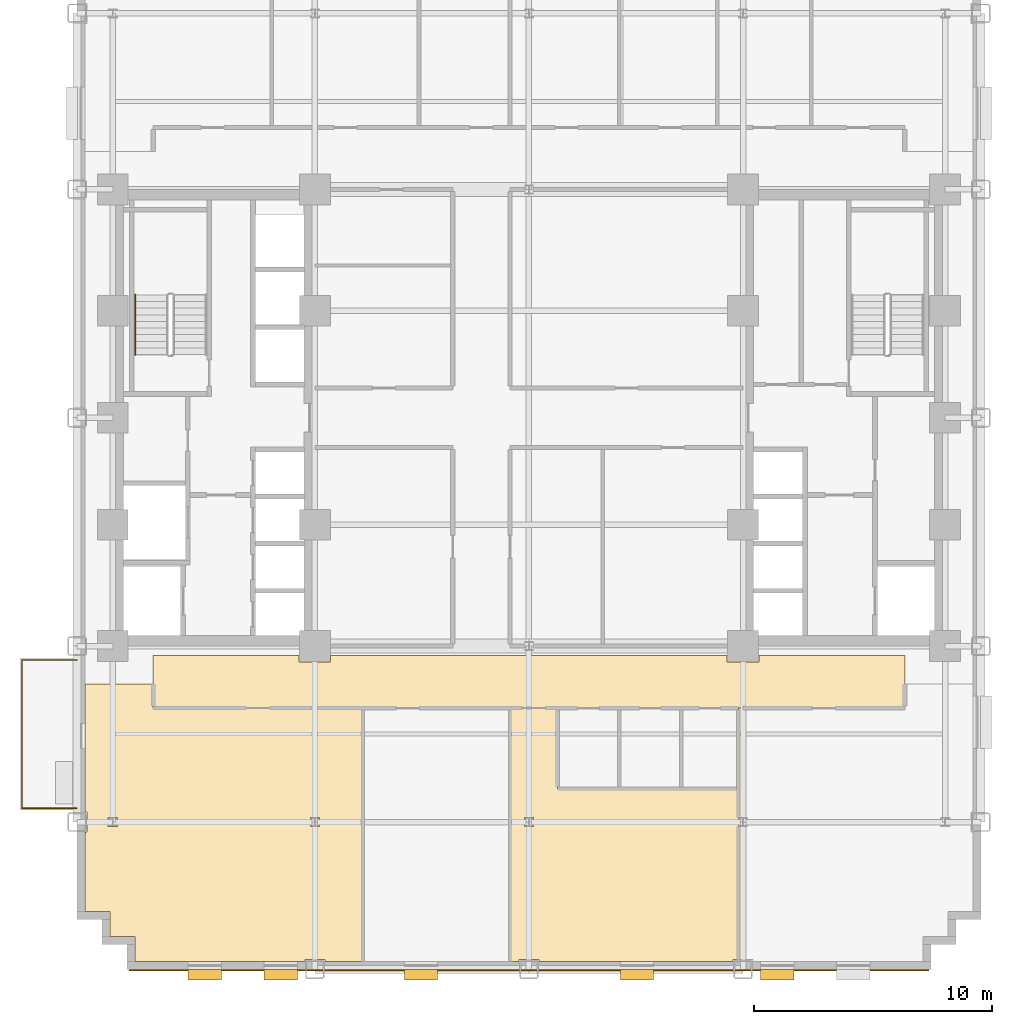
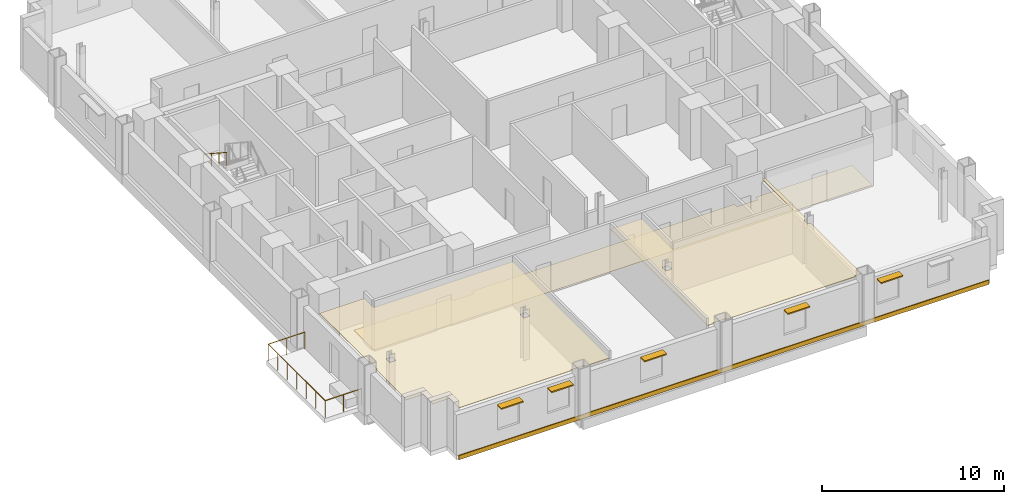
# One storey, part 9 of 12: 5 shading devices, 4 coverings, 2 railings.
"""IFC4 building model written with IfcOpenShell, lengths in metres."""

from ifc_helpers import new_model, si_unit, direction, frame, origin, origin_2d, place, context, subcontext, project, spatial, polyline, rectangle, circle, outline, extrude, source, transform, mapped, material, layer, layer_set, type_object, type_shapes, element, save


model = new_model("IFC4")

# Units and contexts
model_context = context("Model", 3, precision=1e-05, world=origin(), true_north=direction((0.0, 1.0)))
body_context = subcontext(model_context, "Body", "Model", "MODEL_VIEW")
ifc_project = project(units=[si_unit("LENGTHUNIT", "METRE"), si_unit("AREAUNIT", "SQUARE_METRE"), si_unit("VOLUMEUNIT", "CUBIC_METRE"), si_unit("PLANEANGLEUNIT", "RADIAN"), si_unit("MASSUNIT", "GRAM", prefix="KILO")], contexts=[model_context])

# Site, building, storey
site_placement = place(None, origin())
site = spatial("IfcSite", under=ifc_project, at=site_placement, CompositionType="ELEMENT")
building_placement = place(site_placement, origin())
building = spatial("IfcBuilding", under=site, at=building_placement, Name="Nuvemarco Arch Tower", CompositionType="ELEMENT")
storey_placement = place(building_placement, frame((0.0, 0.0, 34.89990234375)))
storey = spatial("IfcBuildingStorey", under=building, at=storey_placement, Name="L08", CompositionType="ELEMENT", Elevation=34.89990234375)

# Coverings
ifc_material_1 = material(Name="Mineral acoustic ceiling tile")
ifc_layer_1 = layer(ifc_material_1, 0.0400390625, Name="COV-ACOUSTIC-CLG")
ifc_layer_set_1 = layer_set([ifc_layer_1], Name="Mineral acoustic ceiling tile")
covering_type_1 = type_object("IfcCoveringType", Name="COV-ACOUSTIC-CLG", PredefinedType="CEILING", material=ifc_layer_set_1)
covering_1_placement = place(storey_placement, frame((0.0, 0.0, 2.85009765625)))
element("IfcCovering", 1, at=covering_1_placement, inside=storey, type_object=covering_type_1, Name="L08 suspended acoustic ceiling 1", PredefinedType="CEILING", context=body_context, shape_type="SweptSolid", body=[
    extrude(outline(polyline([(-18.659912109375, -20.760009765625), (-18.659912109375, -17.4150390625), (-18.5849609375, -17.4150390625), (-18.5849609375, -16.5849609375), (-18.659912109375, -16.5849609375), (-18.659912109375, -11.199951171875), (-15.800048828125, -11.199951171875), (-15.800048828125, -12.199951171875), (-6.989990234375, -12.199951171875), (-6.989990234375, -22.860107421875), (-8.5849609375, -22.860107421875), (-8.5849609375, -22.784912109375), (-9.4150390625, -22.784912109375), (-9.4150390625, -22.860107421875), (-16.56005859375, -22.860107421875), (-16.56005859375, -21.81005859375), (-17.610107421875, -21.81005859375), (-17.610107421875, -20.760009765625), (-18.659912109375, -20.760009765625)]), holes=[polyline([(-17.304931640625, -16.804931640625), (-17.695068359375, -16.804931640625), (-17.695068359375, -17.195068359375), (-17.304931640625, -17.195068359375), (-17.304931640625, -16.804931640625)]), polyline([(-8.804931640625, -17.195068359375), (-8.804931640625, -16.804931640625), (-9.195068359375, -16.804931640625), (-9.195068359375, -17.195068359375), (-8.804931640625, -17.195068359375)])]), origin(), (0.0, 0.0, 1.0), 0.0400390625),
])
covering_2_placement = place(storey_placement, frame((0.0, 0.0, 2.85009765625)))
element("IfcCovering", 2, at=covering_2_placement, inside=storey, type_object=covering_type_1, Name="L08 suspended acoustic ceiling 4", PredefinedType="CEILING", context=body_context, shape_type="SweptSolid", body=[
    extrude(outline(polyline([(3.800048828125, -15.60009765625), (6.39990234375, -15.60009765625), (8.800048828125, -15.60009765625), (8.800048828125, -12.199951171875), (9.0, -12.199951171875), (9.0, -16.804931640625), (8.804931640625, -16.804931640625), (8.804931640625, -17.195068359375), (9.0, -17.195068359375), (9.0, -22.784912109375), (8.5849609375, -22.784912109375), (8.5849609375, -22.860107421875), (0.4150390625, -22.860107421875), (0.4150390625, -22.784912109375), (-0.4150390625, -22.784912109375), (-0.4150390625, -22.860107421875), (-0.800048828125, -22.860107421875), (-0.800048828125, -12.199951171875), (1.199951171875, -12.199951171875), (1.199951171875, -15.60009765625), (3.800048828125, -15.60009765625)]), holes=[polyline([(0.195068359375, -17.195068359375), (0.195068359375, -16.804931640625), (-0.195068359375, -16.804931640625), (-0.195068359375, -17.195068359375), (0.195068359375, -17.195068359375)])]), origin(), (0.0, 0.0, 1.0), 0.0400390625),
])
ifc_material_2 = material(Name="Polished granite terrazzostone flooring", Category="masonry")
ifc_layer_2 = layer(ifc_material_2, 0.02001953125, Name="COV-LOBBY-FLR")
ifc_layer_set_2 = layer_set([ifc_layer_2], Name="Polished granite terrazzostone flooring")
covering_type_2 = type_object("IfcCoveringType", Name="COV-LOBBY-FLR", PredefinedType="FLOORING", material=ifc_layer_set_2)
covering_3_placement = place(storey_placement, origin())
element("IfcCovering", 3, at=covering_3_placement, inside=storey, type_object=covering_type_2, Name="L08 polished terrazzo lobby flooring", PredefinedType="FLOORING", context=body_context, shape_type="SweptSolid", body=[
    extrude(outline(polyline([(-9.6650390625, -10.264892578125), (-8.3349609375, -10.264892578125), (-8.3349609375, -10.0), (8.3349609375, -10.0), (8.3349609375, -10.264892578125), (9.6650390625, -10.264892578125), (9.6650390625, -10.0), (15.800048828125, -10.0), (15.800048828125, -12.199951171875), (-0.800048828125, -12.199951171875), (-3.199951171875, -12.199951171875), (-15.800048828125, -12.199951171875), (-15.800048828125, -10.0), (-9.6650390625, -10.0), (-9.6650390625, -10.264892578125)])), origin(), (0.0, 0.0, 1.0), 0.02001953125),
])

# Railings
ifc_material_3 = material(Name="Brushed stainless steel handrail", Category="steel")
railing_type_1 = type_object("IfcRailingType", Name="RL-HANDRAIL-900", PredefinedType="HANDRAIL", material=ifc_material_3)
railing_1_placement = place(storey_placement, frame((-16.550048828125, 5.169921875, 2.007568359375)))
element("IfcRailing", 4, at=railing_1_placement, inside=storey, type_object=railing_type_1, Name="L08 ST-1 stair handrail 2", PredefinedType="HANDRAIL", context=body_context, shape_type="SweptSolid", body=[
    extrude(circle(Radius=0.02392578125, at=origin_2d()), frame((0.0, 0.0, 0.8759765625), z_axis=(0.0, -0.837749427056, 0.546054848405), x_axis=(1.0, 0.0, 0.0)), (0.0, 0.0, 1.0), 3.008056640625),
    extrude(circle(Radius=0.02099609375, at=origin_2d()), origin(), (0.0, 0.0, 1.0), 0.851806640625),
    extrude(circle(Radius=0.02099609375, at=origin_2d()), frame((0.0, -0.840087890625, 0.547607421875)), (0.0, 0.0, 1.0), 0.851806640625),
    extrude(circle(Radius=0.02099609375, at=origin_2d()), frame((0.0, -1.679931640625, 1.094970703125)), (0.0, 0.0, 1.0), 0.851806640625),
    extrude(circle(Radius=0.02099609375, at=origin_2d()), frame((0.0, -2.52001953125, 1.642578125)), (0.0, 0.0, 1.0), 0.851806640625),
])
ifc_material_4 = material(Name="Dark anodised balustrade steel S355", Category="steel")
railing_type_2 = type_object("IfcRailingType", Name="RL-TERR-GUARD", PredefinedType="BALUSTRADE", material=ifc_material_4)
railing_2_placement = place(storey_placement, frame((-19.0, -16.419921875, 0.0)))
element("IfcRailing", 5, at=railing_2_placement, inside=storey, type_object=railing_type_2, Name="L08 spiral terrace perimeter balustrade guard", PredefinedType="BALUSTRADE", context=body_context, shape_type="SweptSolid", body=[
    extrude(circle(Radius=0.02392578125, at=origin_2d()), frame((0.0, 0.0, 1.1259765625), z_axis=(-1.0, 0.0, 0.0), x_axis=(0.0, -1.0, 0.0)), (0.0, 0.0, 1.0), 2.320068359375),
    extrude(circle(Radius=0.02392578125, at=origin_2d()), frame((-2.320068359375, 0.0, 1.1259765625), z_axis=(0.0, 1.0, 0.0), x_axis=(-1.0, 0.0, 0.0)), (0.0, 0.0, 1.0), 6.239990234375),
    extrude(circle(Radius=0.02392578125, at=origin_2d()), frame((-2.320068359375, 6.239990234375, 1.1259765625), z_axis=(1.0, 0.0, 0.0), x_axis=(0.0, 1.0, 0.0)), (0.0, 0.0, 1.0), 2.320068359375),
    extrude(circle(Radius=0.02099609375, at=origin_2d()), origin(), (0.0, 0.0, 1.0), 1.101806640625),
    extrude(circle(Radius=0.02099609375, at=origin_2d()), frame((-1.16015625, 0.0, 0.0)), (0.0, 0.0, 1.0), 1.101806640625),
    extrude(circle(Radius=0.02099609375, at=origin_2d()), frame((-2.320068359375, 0.0, 0.0)), (0.0, 0.0, 1.0), 1.101806640625),
    extrude(circle(Radius=0.02099609375, at=origin_2d()), frame((-2.320068359375, 1.0400390625, 0.0)), (0.0, 0.0, 1.0), 1.101806640625),
    extrude(circle(Radius=0.02099609375, at=origin_2d()), frame((-2.320068359375, 2.080078125, 0.0)), (0.0, 0.0, 1.0), 1.101806640625),
    extrude(circle(Radius=0.02099609375, at=origin_2d()), frame((-2.320068359375, 3.1201171875, 0.0)), (0.0, 0.0, 1.0), 1.101806640625),
    extrude(circle(Radius=0.02099609375, at=origin_2d()), frame((-2.320068359375, 4.159912109375, 0.0)), (0.0, 0.0, 1.0), 1.101806640625),
    extrude(circle(Radius=0.02099609375, at=origin_2d()), frame((-2.320068359375, 5.199951171875, 0.0)), (0.0, 0.0, 1.0), 1.101806640625),
    extrude(circle(Radius=0.02099609375, at=origin_2d()), frame((-2.320068359375, 6.239990234375, 0.0)), (0.0, 0.0, 1.0), 1.101806640625),
    extrude(circle(Radius=0.02099609375, at=origin_2d()), frame((-1.16015625, 6.239990234375, 0.0)), (0.0, 0.0, 1.0), 1.101806640625),
    extrude(circle(Radius=0.02099609375, at=origin_2d()), frame((0.0, 6.239990234375, 0.0)), (0.0, 0.0, 1.0), 1.101806640625),
])

# Shading devices
ifc_material_5 = material(Name="Anodised aluminium 6063-T6", Category="aluminium")
shading_device_type = type_object("IfcShadingDeviceType", Name="SHD-BRISE-NARROW", PredefinedType="USERDEFINED", material=ifc_material_5)
shared_shape_1 = source(origin(), body_context, "Body", "SweptSolid", [
    extrude(rectangle(XDim=1.39990234375, YDim=0.449951171875, at=origin_2d()), origin(), (0.0, 0.0, 1.0), 0.080078125),
])
type_shapes(shading_device_type, [shared_shape_1])
for number, where, z_axis, x_axis, name in (
    (6, (-13.628662109375, -23.4150390625, 2.455078125), (0.0, 0.0, 1.0), (1.0, 0.0, 0.0), "L08 horizontal brise-soleil sunshade"),
    (7, (-10.435791015625, -23.4150390625, 2.455078125), (0.0, 0.0, 1.0), (1.0, 0.0, 0.0), "L08 horizontal brise-soleil sunshade"),
    (8, (-4.54296875, -23.4150390625, 2.455078125), (0.0, 0.0, 1.0), (1.0, 0.0, 0.0), "L08 horizontal brise-soleil sunshade"),
    (9, (4.54296875, -23.4150390625, 2.455078125), (0.0, 0.0, 1.0), (1.0, 0.0, 0.0), "L08 horizontal brise-soleil sunshade"),
    (10, (10.435791015625, -23.4150390625, 2.455078125), (0.0, 0.0, 1.0), (1.0, 0.0, 0.0), "L08 horizontal brise-soleil sunshade"),
):
    element("IfcShadingDevice", number, at=place(storey_placement, frame(where, z_axis=z_axis, x_axis=x_axis)), inside=storey, type_object=shading_device_type, Name=name, ObjectType="SUNSHADE", PredefinedType="USERDEFINED", context=body_context, shape_type="MappedRepresentation", body=[
        mapped(shared_shape_1, transform((0.0, 0.0, 0.0), scale=1.0)),
    ])

# Covering
ifc_material_6 = material(Name="Precast concrete C45/55", Category="concrete")
ifc_layer_3 = layer(ifc_material_6, 0.06005859375, Name="COV-SPANDREL-CLAD")
ifc_layer_set_3 = layer_set([ifc_layer_3], Name="Precast concrete C45/55")
covering_type_3 = type_object("IfcCoveringType", Name="COV-SPANDREL-CLAD", PredefinedType="CLADDING", material=ifc_layer_set_3)
shared_shape_2 = source(origin(), body_context, "Body", "SweptSolid", [
    extrude(rectangle(XDim=33.60009765625, YDim=0.06005859375, at=origin_2d()), origin(), (0.0, 0.0, 1.0), 0.280029296875),
])
type_shapes(covering_type_3, [shared_shape_2])
covering_4_placement = place(storey_placement, frame((0.0, -23.22900390625, -0.27978515625), z_axis=(0.0, 0.0, 1.0), x_axis=(1.0, 0.0, 0.0)))
element("IfcCovering", 11, at=covering_4_placement, inside=storey, type_object=covering_type_3, Name="L08 precast spandrel edge cladding south", PredefinedType="CLADDING", context=body_context, shape_type="MappedRepresentation", body=[
    mapped(shared_shape_2, transform((0.0, 0.0, 0.0), scale=1.0)),
])

save(model, "model.ifc")
